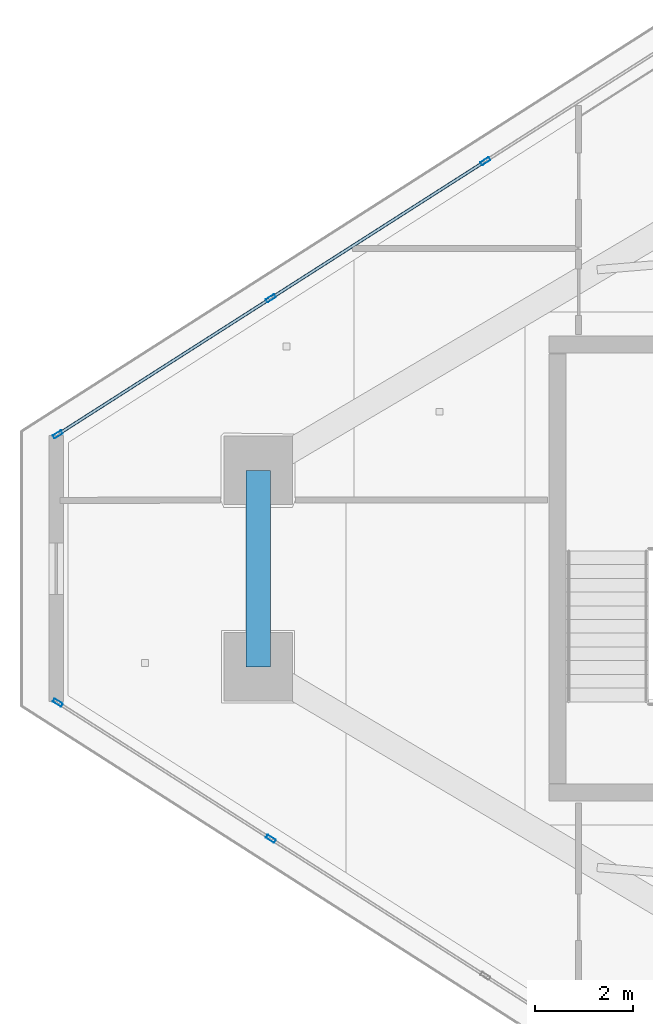
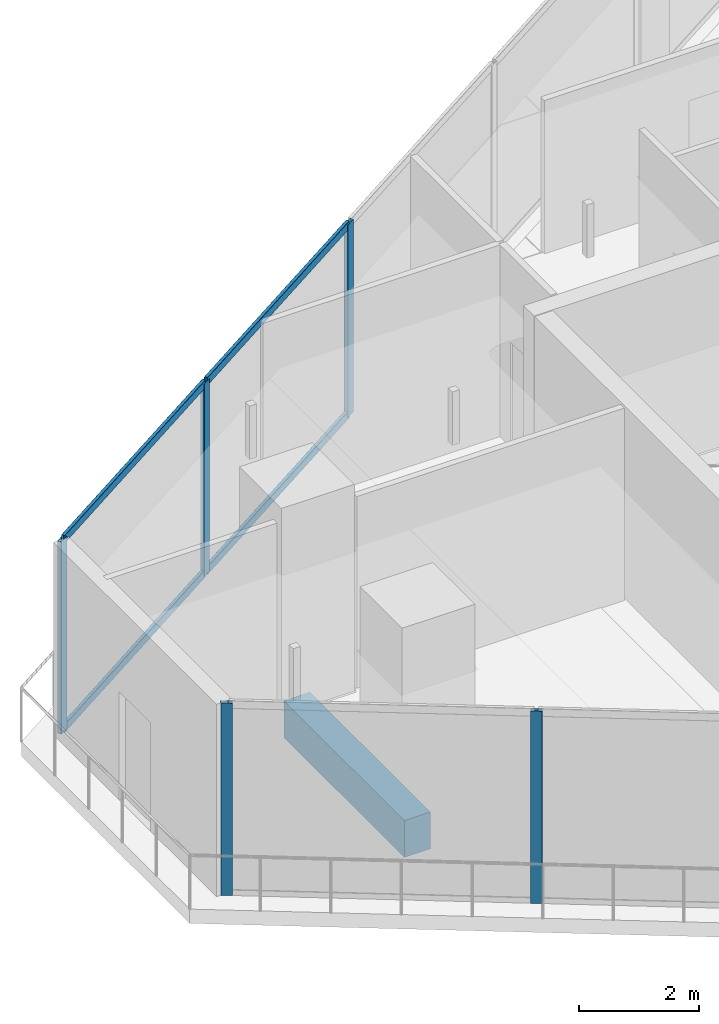
# One storey, part 5 of 23: 9 members, 1 beam, 2 elements without a shape of their own.
"""IFC4 building model written with IfcOpenShell, lengths in metres."""

from ifc_helpers import new_model, si_unit, direction, frame, origin, origin_2d, place, context, subcontext, project, spatial, rectangle, hollow_rectangle, extrude, material, layer, layer_set, material_profile, profile_set, type_object, element, aggregate, save


model = new_model("IFC4")

# Units and contexts
model_context = context("Model", 3, precision=1e-05, world=origin(), true_north=direction((0.0, 1.0)))
body_context = subcontext(model_context, "Body", "Model", "MODEL_VIEW")
ifc_project = project(units=[si_unit("LENGTHUNIT", "METRE"), si_unit("AREAUNIT", "SQUARE_METRE"), si_unit("VOLUMEUNIT", "CUBIC_METRE"), si_unit("PLANEANGLEUNIT", "RADIAN"), si_unit("MASSUNIT", "GRAM", prefix="KILO")], contexts=[model_context])

# Site, building, storey
site_placement = place(None, origin())
site = spatial("IfcSite", under=ifc_project, at=site_placement, CompositionType="ELEMENT")
building_placement = place(site_placement, origin())
building = spatial("IfcBuilding", under=site, at=building_placement, Name="Qorvath Tower", CompositionType="ELEMENT")
storey_placement = place(building_placement, frame((0.0, 0.0, 310.199951171875)))
storey = spatial("IfcBuildingStorey", under=building, at=storey_placement, Name="L72", CompositionType="ELEMENT", Elevation=310.199951171875)

# Beam
ifc_material_1 = material(Name="Concrete C45/55", Category="concrete")
ifc_material_profile_1 = material_profile(ifc_material_1, rectangle(XDim=0.5, YDim=0.75, at=origin_2d()), Name="RCB 750x500")
ifc_profile_set_1 = profile_set([ifc_material_profile_1], Name="Concrete C45/55")
beam_type = type_object("IfcBeamType", Name="BM-RCB3", PredefinedType="SPANDREL", material=ifc_profile_set_1)
beam_placement = place(storey_placement, frame((-44.402587890625, 2.007568359375, -0.6650390625), z_axis=(0.0, -1.0, 0.0), x_axis=(1.0, 0.0, 0.0)))
element("IfcBeam", 1, at=beam_placement, inside=storey, type_object=beam_type, Name="Perimeter Loggia Frame Beam MC1-MC2 L72", PredefinedType="SPANDREL", context=body_context, shape_type="SweptSolid", body=[
    extrude(rectangle(XDim=0.5, YDim=0.75, at=origin_2d()), origin(), (0.0, 0.0, 1.0), 4.01513671875),
])

# Curtain wall, members
ifc_material_2 = material(Name="Anodised aluminium and triple low-E glass", Category="aluminium")
ifc_layer = layer(ifc_material_2, 0.179931640625)
ifc_layer_set = layer_set([ifc_layer], Name="CW-SYS-4")
curtain_wall_type = type_object("IfcCurtainWallType", Name="CW-SYS-4", PredefinedType="NOTDEFINED", material=ifc_layer_set)
curtain_wall_1_placement = place(storey_placement, origin())
curtain_wall_1 = element("IfcCurtainWall", 2, at=curtain_wall_1_placement, inside=storey, type_object=curtain_wall_type, Name="Curtain Wall CW-4 CW-T-L72-2.1", PredefinedType="NOTDEFINED")
ifc_material_3 = material(Name="Anodised aluminium 6063-T6", Category="aluminium")
ifc_material_profile_2 = material_profile(ifc_material_3, hollow_rectangle(XDim=0.074951171875, YDim=0.199951171875, WallThickness=0.00390625, InnerFilletRadius=0.00390625, OuterFilletRadius=0.008056640625, at=origin_2d()), Name="CWM 200x75")
ifc_profile_set_2 = profile_set([ifc_material_profile_2], Name="Anodised aluminium 6063-T6")
member_type_1 = type_object("IfcMemberType", Name="CWM-200", PredefinedType="MULLION", material=ifc_profile_set_2)
member_1_placement = place(storey_placement, frame((-48.49169921875, -2.738525390625, 0.0), z_axis=(0.0, 0.0, 1.0), x_axis=(0.538538446751, 0.842600938387, 0.0)))
member_1 = element("IfcMember", 3, at=member_1_placement, type_object=member_type_1, Name="CW-4 mullion 1", PredefinedType="MULLION", context=body_context, shape_type="SweptSolid", body=[
    extrude(hollow_rectangle(XDim=0.074951171875, YDim=0.199951171875, WallThickness=0.00390625, InnerFilletRadius=0.00390625, OuterFilletRadius=0.008056640625, at=origin_2d()), origin(), (0.0, 0.0, 1.0), 3.91015625),
])
member_2_placement = place(storey_placement, frame((-44.141845703125, -5.518798828125, 0.0), z_axis=(0.0, 0.0, 1.0), x_axis=(0.538538446751, 0.842600938387, 0.0)))
member_2 = element("IfcMember", 4, at=member_2_placement, type_object=member_type_1, Name="CW-4 mullion 2", PredefinedType="MULLION", context=body_context, shape_type="SweptSolid", body=[
    extrude(hollow_rectangle(XDim=0.074951171875, YDim=0.199951171875, WallThickness=0.00390625, InnerFilletRadius=0.00390625, OuterFilletRadius=0.008056640625, at=origin_2d()), origin(), (0.0, 0.0, 1.0), 3.91015625),
])
aggregate(curtain_wall_1, [member_1, member_2])

curtain_wall_2_placement = place(storey_placement, origin())
curtain_wall_2 = element("IfcCurtainWall", 5, at=curtain_wall_2_placement, inside=storey, type_object=curtain_wall_type, Name="Curtain Wall CW-4 CW-T-L72-16.2", PredefinedType="NOTDEFINED")
member_3_placement = place(storey_placement, frame((-39.76025390625, 8.319091796875, 0.0), z_axis=(0.0, 0.0, 1.0), x_axis=(0.538538446751, -0.842600938387, 0.0)))
member_3 = element("IfcMember", 6, at=member_3_placement, type_object=member_type_1, Name="CW-4 mullion 3", PredefinedType="MULLION", context=body_context, shape_type="SweptSolid", body=[
    extrude(hollow_rectangle(XDim=0.074951171875, YDim=0.199951171875, WallThickness=0.00390625, InnerFilletRadius=0.00390625, OuterFilletRadius=0.008056640625, at=origin_2d()), origin(), (0.0, 0.0, 1.0), 3.91015625),
])
member_4_placement = place(storey_placement, frame((-44.141845703125, 5.518798828125, 0.0), z_axis=(0.0, 0.0, 1.0), x_axis=(0.538538446751, -0.842600938387, 0.0)))
member_4 = element("IfcMember", 7, at=member_4_placement, type_object=member_type_1, Name="CW-4 mullion 4", PredefinedType="MULLION", context=body_context, shape_type="SweptSolid", body=[
    extrude(hollow_rectangle(XDim=0.074951171875, YDim=0.199951171875, WallThickness=0.00390625, InnerFilletRadius=0.00390625, OuterFilletRadius=0.008056640625, at=origin_2d()), origin(), (0.0, 0.0, 1.0), 3.91015625),
])
member_5_placement = place(storey_placement, frame((-48.49169921875, 2.738525390625, 0.0), z_axis=(0.0, 0.0, 1.0), x_axis=(0.538538446751, -0.842600938387, 0.0)))
member_5 = element("IfcMember", 8, at=member_5_placement, type_object=member_type_1, Name="CW-4 mullion 5", PredefinedType="MULLION", context=body_context, shape_type="SweptSolid", body=[
    extrude(hollow_rectangle(XDim=0.074951171875, YDim=0.199951171875, WallThickness=0.00390625, InnerFilletRadius=0.00390625, OuterFilletRadius=0.008056640625, at=origin_2d()), origin(), (0.0, 0.0, 1.0), 3.91015625),
])
ifc_material_4 = material(Name="Anodised aluminium 6063-T6", Category="aluminium")
ifc_material_profile_3 = material_profile(ifc_material_4, hollow_rectangle(XDim=0.06494140625, YDim=0.159912109375, WallThickness=0.00341796875, InnerFilletRadius=0.00341796875, OuterFilletRadius=0.007080078125, at=origin_2d()), Name="CWT 160x65")
ifc_profile_set_3 = profile_set([ifc_material_profile_3], Name="Anodised aluminium 6063-T6")
member_type_2 = type_object("IfcMemberType", Name="CWT-160", PredefinedType="USERDEFINED", material=ifc_profile_set_3)
member_6_placement = place(storey_placement, frame((-39.7919921875, 8.298828125, 0.032470703125), z_axis=(-0.842602591489, -0.538535860288, 0.0), x_axis=(0.538535860288, -0.842602591489, 0.0)))
member_6 = element("IfcMember", 9, at=member_6_placement, type_object=member_type_2, Name="CW-4 transom 3.1", ObjectType="TRANSOM", PredefinedType="USERDEFINED", context=body_context, shape_type="SweptSolid", body=[
    extrude(hollow_rectangle(XDim=0.06494140625, YDim=0.159912109375, WallThickness=0.00341796875, InnerFilletRadius=0.00341796875, OuterFilletRadius=0.007080078125, at=origin_2d()), origin(), (0.0, 0.0, 1.0), 5.125),
])
member_7_placement = place(storey_placement, frame((-39.7919921875, 8.298828125, 3.877685546875), z_axis=(-0.842602591489, -0.538535860288, 0.0), x_axis=(0.538535860288, -0.842602591489, 0.0)))
member_7 = element("IfcMember", 10, at=member_7_placement, type_object=member_type_2, Name="CW-4 transom 3.2", ObjectType="TRANSOM", PredefinedType="USERDEFINED", context=body_context, shape_type="SweptSolid", body=[
    extrude(hollow_rectangle(XDim=0.06494140625, YDim=0.159912109375, WallThickness=0.00341796875, InnerFilletRadius=0.00341796875, OuterFilletRadius=0.007080078125, at=origin_2d()), origin(), (0.0, 0.0, 1.0), 5.125),
])
member_8_placement = place(storey_placement, frame((-44.173583984375, 5.49853515625, 0.032470703125), z_axis=(-0.84260068815, -0.538538838274, 0.0), x_axis=(0.538538838274, -0.84260068815, 0.0)))
member_8 = element("IfcMember", 11, at=member_8_placement, type_object=member_type_2, Name="CW-4 transom 4.1", ObjectType="TRANSOM", PredefinedType="USERDEFINED", context=body_context, shape_type="SweptSolid", body=[
    extrude(hollow_rectangle(XDim=0.06494140625, YDim=0.159912109375, WallThickness=0.00341796875, InnerFilletRadius=0.00341796875, OuterFilletRadius=0.007080078125, at=origin_2d()), origin(), (0.0, 0.0, 1.0), 5.08740234375),
])
member_9_placement = place(storey_placement, frame((-44.173583984375, 5.49853515625, 3.877685546875), z_axis=(-0.84260068815, -0.538538838274, 0.0), x_axis=(0.538538838274, -0.84260068815, 0.0)))
member_9 = element("IfcMember", 12, at=member_9_placement, type_object=member_type_2, Name="CW-4 transom 4.2", ObjectType="TRANSOM", PredefinedType="USERDEFINED", context=body_context, shape_type="SweptSolid", body=[
    extrude(hollow_rectangle(XDim=0.06494140625, YDim=0.159912109375, WallThickness=0.00341796875, InnerFilletRadius=0.00341796875, OuterFilletRadius=0.007080078125, at=origin_2d()), origin(), (0.0, 0.0, 1.0), 5.08740234375),
])
aggregate(curtain_wall_2, [member_3, member_4, member_5, member_6, member_7, member_8, member_9])

save(model, "model.ifc")
